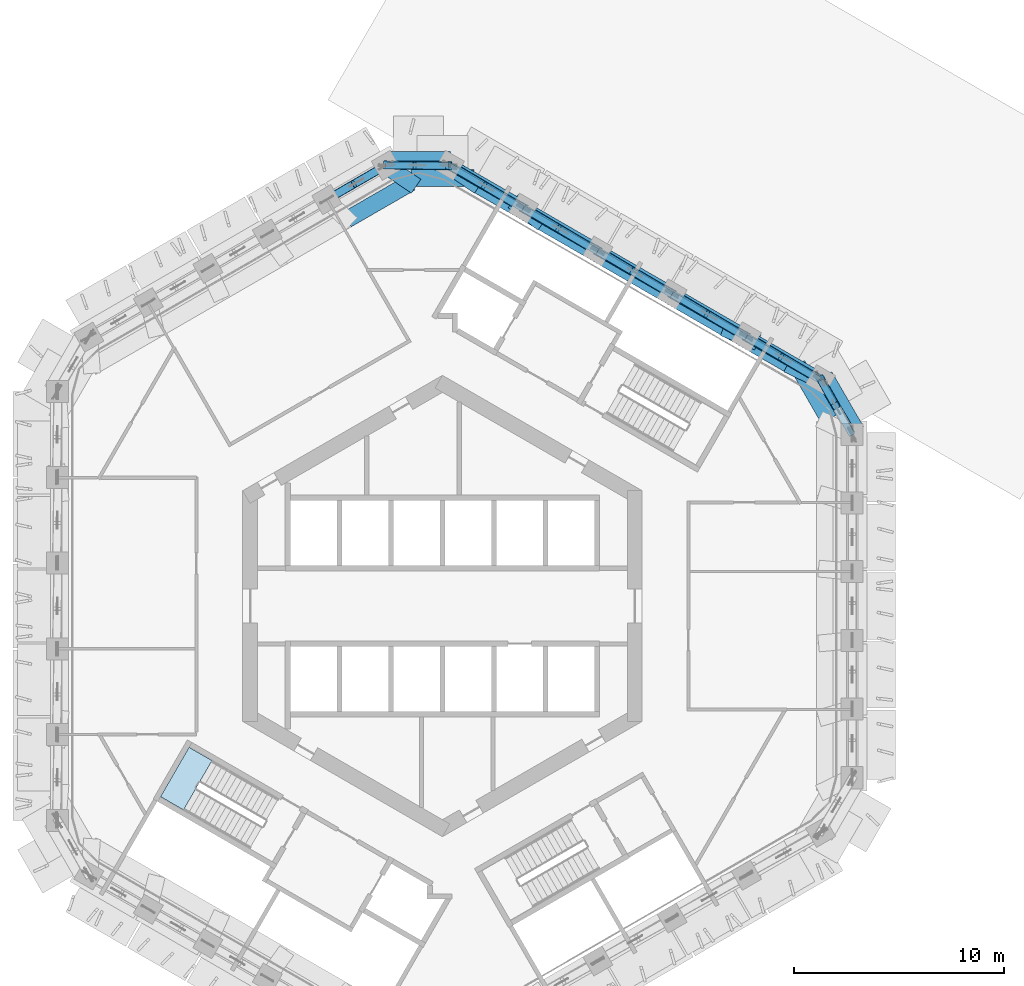
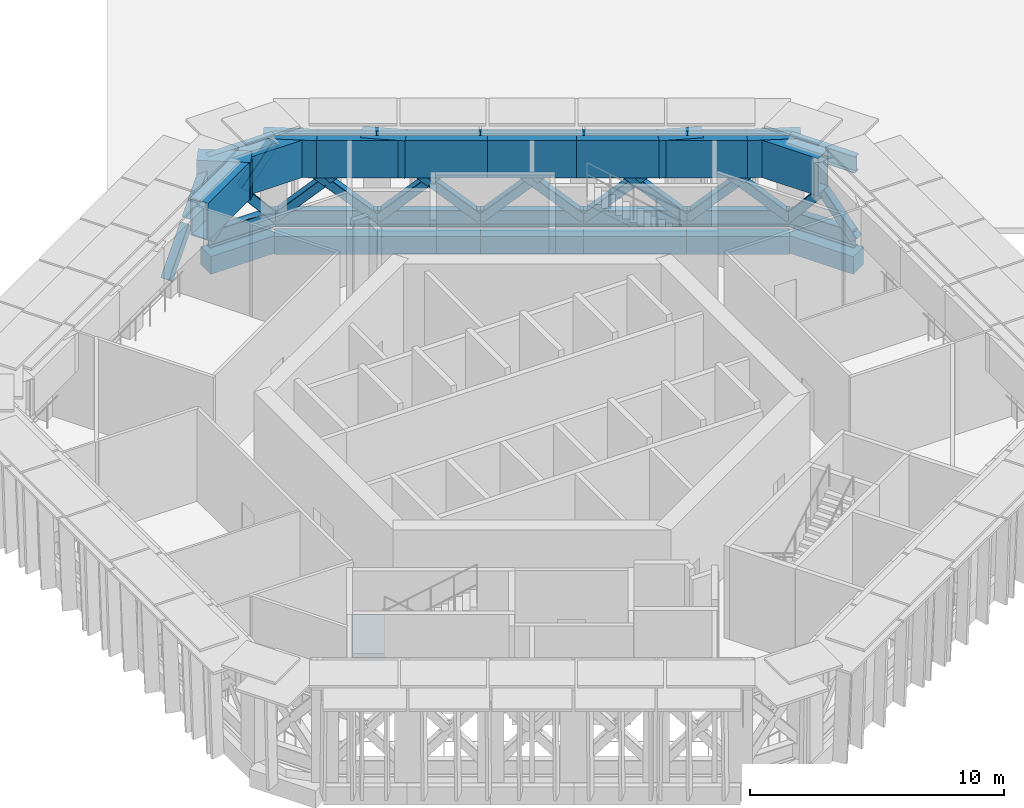
# One storey, part 5 of 18: 36 members, 20 beams, 1 slab, 1 element without a shape of its own.
"""IFC4 building model written with IfcOpenShell, lengths in metres."""

from ifc_helpers import new_model, si_unit, direction, frame, origin, origin_2d, place, context, subcontext, project, spatial, polyline, rectangle, hollow_rectangle, i_section, outline, extrude, material, layer, layer_set, material_profile, profile_set, type_object, element, aggregate, save


model = new_model("IFC4")

# Units and contexts
model_context = context("Model", 3, precision=1e-05, world=origin(), true_north=direction((0.0, 1.0)))
body_context = subcontext(model_context, "Body", "Model", "MODEL_VIEW")
ifc_project = project(units=[si_unit("LENGTHUNIT", "METRE"), si_unit("AREAUNIT", "SQUARE_METRE"), si_unit("VOLUMEUNIT", "CUBIC_METRE"), si_unit("PLANEANGLEUNIT", "RADIAN"), si_unit("MASSUNIT", "GRAM", prefix="KILO")], contexts=[model_context])

# Site, building, storey
site_placement = place(None, origin())
site = spatial("IfcSite", under=ifc_project, at=site_placement, CompositionType="ELEMENT")
building_placement = place(site_placement, origin())
building = spatial("IfcBuilding", under=site, at=building_placement, Name="Ayvan Gate Tower", CompositionType="ELEMENT")
storey_placement = place(building_placement, frame((0.0, 0.0, 147.89990234375)))
storey = spatial("IfcBuildingStorey", under=building, at=storey_placement, Name="L39", CompositionType="ELEMENT", Elevation=147.89990234375)

# Members
ifc_material_1 = material(Name="Steel S460NH", Category="steel")
ifc_material_profile_1 = material_profile(ifc_material_1, hollow_rectangle(XDim=0.39990234375, YDim=0.39990234375, WallThickness=0.02001953125, InnerFilletRadius=0.02001953125, OuterFilletRadius=0.030029296875, at=origin_2d()), Name="RHS 400x400x20")
ifc_profile_set_1 = profile_set([ifc_material_profile_1], Name="Steel S460NH")
member_type_1 = type_object("IfcMemberType", Name="Belt truss brace BT2 RHS 400x400x20", PredefinedType="BRACE", material=ifc_profile_set_1)
member_1_placement = place(storey_placement, frame((19.485595703125, 8.203857421875, 0.400146484375), z_axis=(-0.320205564228, 0.538887619485, 0.779146026238), x_axis=(-0.859685892035, -0.510823029078, 0.0)))
element("IfcMember", 1, at=member_1_placement, inside=storey, type_object=member_type_1, Name="BT2-DA-6", PredefinedType="BRACE", context=body_context, shape_type="SweptSolid", body=[
    extrude(hollow_rectangle(XDim=0.39990234375, YDim=0.39990234375, WallThickness=0.02001953125, InnerFilletRadius=0.02001953125, OuterFilletRadius=0.030029296875, at=origin_2d()), origin(), (0.0, 0.0, 1.0), 4.6845703125),
])
member_2_placement = place(storey_placement, frame((17.985595703125, 10.802001953125, 0.400146484375), z_axis=(0.314761825813, -0.560636022628, 0.765906158183), x_axis=(0.871971306425, 0.489556984192, 0.0)))
element("IfcMember", 2, at=member_2_placement, inside=storey, type_object=member_type_1, Name="BT2-DB-6", PredefinedType="BRACE", context=body_context, shape_type="SweptSolid", body=[
    extrude(hollow_rectangle(XDim=0.39990234375, YDim=0.39990234375, WallThickness=0.02001953125, InnerFilletRadius=0.02001953125, OuterFilletRadius=0.030029296875, at=origin_2d()), origin(), (0.0, 0.0, 1.0), 2.27880859375),
])
member_3_placement = place(storey_placement, frame((17.985595703125, 10.802001953125, 0.400146484375), z_axis=(-0.64899276758, 0.361178583696, 0.669595712582), x_axis=(-0.48628793327, -0.873798630095, 0.0)))
element("IfcMember", 3, at=member_3_placement, inside=storey, type_object=member_type_1, Name="BT2-DA-7", PredefinedType="BRACE", context=body_context, shape_type="SweptSolid", body=[
    extrude(hollow_rectangle(XDim=0.39990234375, YDim=0.39990234375, WallThickness=0.02001953125, InnerFilletRadius=0.02001953125, OuterFilletRadius=0.030029296875, at=origin_2d()), origin(), (0.0, 0.0, 1.0), 5.450927734375),
])
member_4_placement = place(storey_placement, frame((14.4609375, 12.8369140625, 0.400146484375), z_axis=(0.6414356155, -0.383807562409, 0.664268098139), x_axis=(0.513458772394, 0.858114263401, 0.0)))
element("IfcMember", 4, at=member_4_placement, inside=storey, type_object=member_type_1, Name="BT2-DB-7", PredefinedType="BRACE", context=body_context, shape_type="SweptSolid", body=[
    extrude(hollow_rectangle(XDim=0.39990234375, YDim=0.39990234375, WallThickness=0.02001953125, InnerFilletRadius=0.02001953125, OuterFilletRadius=0.030029296875, at=origin_2d()), origin(), (0.0, 0.0, 1.0), 2.64111328125),
])
member_5_placement = place(storey_placement, frame((16.284912109375, 11.74560546875, 2.2890625), z_axis=(0.641499524074, -0.383739379388, 0.664245774784), x_axis=(0.513353933402, 0.85817698586, 0.0)))
element("IfcMember", 5, at=member_5_placement, inside=storey, type_object=member_type_1, Name="BT2-DC-7", PredefinedType="BRACE", context=body_context, shape_type="SweptSolid", body=[
    extrude(hollow_rectangle(XDim=0.39990234375, YDim=0.39990234375, WallThickness=0.02001953125, InnerFilletRadius=0.02001953125, OuterFilletRadius=0.030029296875, at=origin_2d()), origin(), (0.0, 0.0, 1.0), 2.651123046875),
])
member_6_placement = place(storey_placement, frame((14.4609375, 12.8369140625, 0.400146484375), z_axis=(-0.65002276098, 0.361799217946, 0.668260230825), x_axis=(-0.486336602193, -0.873771543006, 0.0)))
element("IfcMember", 6, at=member_6_placement, inside=storey, type_object=member_type_1, Name="BT2-DA-8", PredefinedType="BRACE", context=body_context, shape_type="SweptSolid", body=[
    extrude(hollow_rectangle(XDim=0.39990234375, YDim=0.39990234375, WallThickness=0.02001953125, InnerFilletRadius=0.02001953125, OuterFilletRadius=0.030029296875, at=origin_2d()), origin(), (0.0, 0.0, 1.0), 5.4619140625),
])
member_7_placement = place(storey_placement, frame((10.93603515625, 14.871826171875, 0.400146484375), z_axis=(0.640436467429, -0.383113281644, 0.665631538176), x_axis=(0.513363617735, 0.858171192703, 0.0)))
element("IfcMember", 7, at=member_7_placement, inside=storey, type_object=member_type_1, Name="BT2-DB-8", PredefinedType="BRACE", context=body_context, shape_type="SweptSolid", body=[
    extrude(hollow_rectangle(XDim=0.39990234375, YDim=0.39990234375, WallThickness=0.02001953125, InnerFilletRadius=0.02001953125, OuterFilletRadius=0.030029296875, at=origin_2d()), origin(), (0.0, 0.0, 1.0), 2.6357421875),
])
member_8_placement = place(storey_placement, frame((12.753662109375, 13.784423828125, 2.2890625), z_axis=(0.640427253357, -0.383148985005, 0.665619852804), x_axis=(0.513404289383, 0.858146861349, 0.0)))
element("IfcMember", 8, at=member_8_placement, inside=storey, type_object=member_type_1, Name="BT2-DC-8", PredefinedType="BRACE", context=body_context, shape_type="SweptSolid", body=[
    extrude(hollow_rectangle(XDim=0.39990234375, YDim=0.39990234375, WallThickness=0.02001953125, InnerFilletRadius=0.02001953125, OuterFilletRadius=0.030029296875, at=origin_2d()), origin(), (0.0, 0.0, 1.0), 2.645751953125),
])
member_9_placement = place(storey_placement, frame((10.93603515625, 14.871826171875, 0.400146484375), z_axis=(-0.651036037682, 0.362454968218, 0.66691714152), x_axis=(-0.486430624451, -0.87371920409, 0.0)))
element("IfcMember", 9, at=member_9_placement, inside=storey, type_object=member_type_1, Name="BT2-DA-9", PredefinedType="BRACE", context=body_context, shape_type="SweptSolid", body=[
    extrude(hollow_rectangle(XDim=0.39990234375, YDim=0.39990234375, WallThickness=0.02001953125, InnerFilletRadius=0.02001953125, OuterFilletRadius=0.030029296875, at=origin_2d()), origin(), (0.0, 0.0, 1.0), 5.472900390625),
])
member_10_placement = place(storey_placement, frame((7.411376953125, 16.906982421875, 0.400146484375), z_axis=(0.639370367706, -0.382619723531, 0.666939037742), x_axis=(0.513506125602, 0.858085927498, 0.0)))
element("IfcMember", 10, at=member_10_placement, inside=storey, type_object=member_type_1, Name="BT2-DB-9", PredefinedType="BRACE", context=body_context, shape_type="SweptSolid", body=[
    extrude(hollow_rectangle(XDim=0.39990234375, YDim=0.39990234375, WallThickness=0.02001953125, InnerFilletRadius=0.02001953125, OuterFilletRadius=0.030029296875, at=origin_2d()), origin(), (0.0, 0.0, 1.0), 2.630126953125),
])
member_11_placement = place(storey_placement, frame((9.22265625, 15.8232421875, 2.289306640625), z_axis=(0.639365170477, -0.382657372785, 0.666922419652), x_axis=(0.513546402247, 0.858061823378, 0.0)))
element("IfcMember", 11, at=member_11_placement, inside=storey, type_object=member_type_1, Name="BT2-DC-9", PredefinedType="BRACE", context=body_context, shape_type="SweptSolid", body=[
    extrude(hollow_rectangle(XDim=0.39990234375, YDim=0.39990234375, WallThickness=0.02001953125, InnerFilletRadius=0.02001953125, OuterFilletRadius=0.030029296875, at=origin_2d()), origin(), (0.0, 0.0, 1.0), 2.64013671875),
])
member_12_placement = place(storey_placement, frame((7.411376953125, 16.906982421875, 0.400146484375), z_axis=(-0.652064216011, 0.363029606538, 0.665598800311), x_axis=(-0.486432889919, -0.87371794282, 0.0)))
element("IfcMember", 12, at=member_12_placement, inside=storey, type_object=member_type_1, Name="BT2-DA-10", PredefinedType="BRACE", context=body_context, shape_type="SweptSolid", body=[
    extrude(hollow_rectangle(XDim=0.39990234375, YDim=0.39990234375, WallThickness=0.02001953125, InnerFilletRadius=0.02001953125, OuterFilletRadius=0.030029296875, at=origin_2d()), origin(), (0.0, 0.0, 1.0), 5.483642578125),
])
member_13_placement = place(storey_placement, frame((3.88671875, 18.94189453125, 0.400146484375), z_axis=(0.63837559015, -0.382020770617, 0.668234043369), x_axis=(0.513502516903, 0.858088087048, 0.0)))
element("IfcMember", 13, at=member_13_placement, inside=storey, type_object=member_type_1, Name="BT2-DB-10", PredefinedType="BRACE", context=body_context, shape_type="SweptSolid", body=[
    extrude(hollow_rectangle(XDim=0.39990234375, YDim=0.39990234375, WallThickness=0.02001953125, InnerFilletRadius=0.02001953125, OuterFilletRadius=0.030029296875, at=origin_2d()), origin(), (0.0, 0.0, 1.0), 2.624755859375),
])
member_14_placement = place(storey_placement, frame((5.69140625, 17.86181640625, 2.28955078125), z_axis=(0.638341860079, -0.382004231598, 0.668275719081), x_axis=(0.513506125602, 0.858085927498, 0.0)))
element("IfcMember", 14, at=member_14_placement, inside=storey, type_object=member_type_1, Name="BT2-DC-10", PredefinedType="BRACE", context=body_context, shape_type="SweptSolid", body=[
    extrude(hollow_rectangle(XDim=0.39990234375, YDim=0.39990234375, WallThickness=0.02001953125, InnerFilletRadius=0.02001953125, OuterFilletRadius=0.030029296875, at=origin_2d()), origin(), (0.0, 0.0, 1.0), 2.63427734375),
])
member_15_placement = place(storey_placement, frame((3.88671875, 18.94189453125, 0.400146484375), z_axis=(-0.653065204094, 0.363677962683, 0.664262130985), x_axis=(-0.486525889209, -0.87366616, 0.0)))
element("IfcMember", 15, at=member_15_placement, inside=storey, type_object=member_type_1, Name="BT2-DA-11", PredefinedType="BRACE", context=body_context, shape_type="SweptSolid", body=[
    extrude(hollow_rectangle(XDim=0.39990234375, YDim=0.39990234375, WallThickness=0.02001953125, InnerFilletRadius=0.02001953125, OuterFilletRadius=0.030029296875, at=origin_2d()), origin(), (0.0, 0.0, 1.0), 5.49462890625),
])
member_16_placement = place(storey_placement, frame((0.36181640625, 20.976806640625, 0.400146484375), z_axis=(0.6373349469, -0.381394355472, 0.669583834239), x_axis=(0.51349888179, 0.858090262385, 0.0)))
element("IfcMember", 16, at=member_16_placement, inside=storey, type_object=member_type_1, Name="BT2-DB-11", PredefinedType="BRACE", context=body_context, shape_type="SweptSolid", body=[
    extrude(hollow_rectangle(XDim=0.39990234375, YDim=0.39990234375, WallThickness=0.02001953125, InnerFilletRadius=0.02001953125, OuterFilletRadius=0.030029296875, at=origin_2d()), origin(), (0.0, 0.0, 1.0), 2.619384765625),
])
member_17_placement = place(storey_placement, frame((2.16015625, 19.900634765625, 2.28955078125), z_axis=(0.637282355694, -0.381459408013, 0.669596833296), x_axis=(0.513594570295, 0.858032993167, 0.0)))
element("IfcMember", 17, at=member_17_placement, inside=storey, type_object=member_type_1, Name="BT2-DC-11", PredefinedType="BRACE", context=body_context, shape_type="SweptSolid", body=[
    extrude(hollow_rectangle(XDim=0.39990234375, YDim=0.39990234375, WallThickness=0.02001953125, InnerFilletRadius=0.02001953125, OuterFilletRadius=0.030029296875, at=origin_2d()), origin(), (0.0, 0.0, 1.0), 2.629150390625),
])
member_18_placement = place(storey_placement, frame((0.36181640625, 20.976806640625, 0.400146484375), z_axis=(-0.642872662071, -0.007684961692, 0.765934515298), x_axis=(0.011953242239, -0.999928557448, 0.0)))
element("IfcMember", 18, at=member_18_placement, inside=storey, type_object=member_type_1, Name="BT2-DA-12", PredefinedType="BRACE", context=body_context, shape_type="SweptSolid", body=[
    extrude(hollow_rectangle(XDim=0.39990234375, YDim=0.39990234375, WallThickness=0.02001953125, InnerFilletRadius=0.02001953125, OuterFilletRadius=0.030029296875, at=origin_2d()), origin(), (0.0, 0.0, 1.0), 4.765380859375),
])
for number, where, z_axis, x_axis, name in (
    (19, (-2.63818359375, 20.976806640625, 0.400146484375), (0.626788264985, -0.00785257614, 0.77915005482), (0.012527292533, 0.999921530392, 0.0), "BT2-DB-12"),
    (20, (-1.104736328125, 20.957763671875, 2.305908203125), (0.626788264985, -0.00785257614, 0.77915005482), (0.012527292533, 0.999921530392, 0.0), "BT2-DC-12"),
):
    element("IfcMember", number, at=place(storey_placement, frame(where, z_axis=z_axis, x_axis=x_axis)), inside=storey, type_object=member_type_1, Name=name, PredefinedType="BRACE", context=body_context, shape_type="SweptSolid", body=[
        extrude(hollow_rectangle(XDim=0.39990234375, YDim=0.39990234375, WallThickness=0.02001953125, InnerFilletRadius=0.02001953125, OuterFilletRadius=0.030029296875, at=origin_2d()), origin(), (0.0, 0.0, 1.0), 2.238525390625),
    ])
member_19_placement = place(storey_placement, frame((-5.47998046875, 19.336181640625, 0.400146484375), z_axis=(0.571712069302, 0.330106841037, 0.751115692363), x_axis=(-0.500032632036, 0.86600656285, 0.0)))
element("IfcMember", 21, at=member_19_placement, inside=storey, type_object=member_type_1, Name="BT2-DB-13", PredefinedType="BRACE", context=body_context, shape_type="SweptSolid", body=[
    extrude(hollow_rectangle(XDim=0.39990234375, YDim=0.39990234375, WallThickness=0.02001953125, InnerFilletRadius=0.02001953125, OuterFilletRadius=0.030029296875, at=origin_2d()), origin(), (0.0, 0.0, 1.0), 2.33935546875),
])
member_20_placement = place(storey_placement, frame((-4.02685546875, 20.175048828125, 2.309326171875), z_axis=(0.5717739066, 0.330128854695, 0.75105894511), x_axis=(-0.500017079958, 0.866015542442, 0.0)))
element("IfcMember", 22, at=member_20_placement, inside=storey, type_object=member_type_1, Name="BT2-DC-13", PredefinedType="BRACE", context=body_context, shape_type="SweptSolid", body=[
    extrude(hollow_rectangle(XDim=0.39990234375, YDim=0.39990234375, WallThickness=0.02001953125, InnerFilletRadius=0.02001953125, OuterFilletRadius=0.030029296875, at=origin_2d()), origin(), (0.0, 0.0, 1.0), 2.317626953125),
])
ifc_material_2 = material(Name="Steel S460ML", Category="steel")
ifc_material_profile_2 = material_profile(ifc_material_2, i_section(OverallWidth=0.300048828125, OverallDepth=0.800048828125, WebThickness=0.017578125, FlangeThickness=0.032958984375, FilletRadius=0.030029296875, at=origin_2d()), Name="HE 800 B")
ifc_profile_set_2 = profile_set([ifc_material_profile_2], Name="Steel S460ML")
member_type_2 = type_object("IfcMemberType", Name="Belt truss chord BT2 HE 800 B", PredefinedType="CHORD", material=ifc_profile_set_2)
member_21_placement = place(storey_placement, frame((19.485595703125, 8.203857421875, 0.400146484375), z_axis=(-0.499990139034, 0.866031096941, 0.0), x_axis=(-0.866031096941, -0.499990139034, 0.0)))
element("IfcMember", 23, at=member_21_placement, inside=storey, type_object=member_type_2, Name="BT2-BC-6", PredefinedType="CHORD", context=body_context, shape_type="SweptSolid", body=[
    extrude(i_section(OverallWidth=0.300048828125, OverallDepth=0.800048828125, WebThickness=0.017578125, FlangeThickness=0.032958984375, FilletRadius=0.030029296875, at=origin_2d()), origin(), (0.0, 0.0, 1.0), 3.0),
])
member_22_placement = place(storey_placement, frame((19.485595703125, 8.13037109375, 4.050048828125), z_axis=(-0.50002537861, 0.866010750942, 0.0), x_axis=(-0.866010750942, -0.50002537861, 0.0)))
element("IfcMember", 24, at=member_22_placement, inside=storey, type_object=member_type_2, Name="BT2-TC-6", PredefinedType="CHORD", context=body_context, shape_type="SweptSolid", body=[
    extrude(i_section(OverallWidth=0.300048828125, OverallDepth=0.800048828125, WebThickness=0.017578125, FlangeThickness=0.032958984375, FilletRadius=0.030029296875, at=origin_2d()), origin(), (0.0, 0.0, 1.0), 2.999755859375),
])
member_23_placement = place(storey_placement, frame((17.985595703125, 10.802001953125, 0.400146484375), z_axis=(-0.86603075035, 0.499990739362, 0.0), x_axis=(-0.499990739362, -0.86603075035, 0.0)))
element("IfcMember", 25, at=member_23_placement, inside=storey, type_object=member_type_2, Name="BT2-BC-7", PredefinedType="CHORD", context=body_context, shape_type="SweptSolid", body=[
    extrude(i_section(OverallWidth=0.300048828125, OverallDepth=0.800048828125, WebThickness=0.017578125, FlangeThickness=0.032958984375, FilletRadius=0.030029296875, at=origin_2d()), origin(), (0.0, 0.0, 1.0), 4.06982421875),
])
member_24_placement = place(storey_placement, frame((17.985595703125, 10.728271484375, 4.050048828125), z_axis=(-0.866020367552, 0.500008722908, 0.0), x_axis=(-0.500008722908, -0.866020367552, 0.0)))
element("IfcMember", 26, at=member_24_placement, inside=storey, type_object=member_type_2, Name="BT2-TC-7", PredefinedType="CHORD", context=body_context, shape_type="SweptSolid", body=[
    extrude(i_section(OverallWidth=0.300048828125, OverallDepth=0.800048828125, WebThickness=0.017578125, FlangeThickness=0.032958984375, FilletRadius=0.030029296875, at=origin_2d()), origin(), (0.0, 0.0, 1.0), 4.0849609375),
])
member_25_placement = place(storey_placement, frame((14.4609375, 12.8369140625, 0.400146484375), z_axis=(-0.866045745349, 0.499964765721, 0.0), x_axis=(-0.499964765721, -0.866045745349, 0.0)))
element("IfcMember", 27, at=member_25_placement, inside=storey, type_object=member_type_2, Name="BT2-BC-8", PredefinedType="CHORD", context=body_context, shape_type="SweptSolid", body=[
    extrude(i_section(OverallWidth=0.300048828125, OverallDepth=0.800048828125, WebThickness=0.017578125, FlangeThickness=0.032958984375, FilletRadius=0.030029296875, at=origin_2d()), origin(), (0.0, 0.0, 1.0), 4.070068359375),
])
member_26_placement = place(storey_placement, frame((14.447998046875, 12.770751953125, 4.050048828125), z_axis=(-0.866031306094, 0.49998977676, 0.0), x_axis=(-0.49998977676, -0.866031306094, 0.0)))
element("IfcMember", 28, at=member_26_placement, inside=storey, type_object=member_type_2, Name="BT2-TC-8", PredefinedType="CHORD", context=body_context, shape_type="SweptSolid", body=[
    extrude(i_section(OverallWidth=0.300048828125, OverallDepth=0.800048828125, WebThickness=0.017578125, FlangeThickness=0.032958984375, FilletRadius=0.030029296875, at=origin_2d()), origin(), (0.0, 0.0, 1.0), 4.08447265625),
])
member_27_placement = place(storey_placement, frame((10.93603515625, 14.871826171875, 0.400146484375), z_axis=(-0.866004775196, 0.500035728062, 0.0), x_axis=(-0.500035728062, -0.866004775196, 0.0)))
element("IfcMember", 29, at=member_27_placement, inside=storey, type_object=member_type_2, Name="BT2-BC-9", PredefinedType="CHORD", context=body_context, shape_type="SweptSolid", body=[
    extrude(i_section(OverallWidth=0.300048828125, OverallDepth=0.800048828125, WebThickness=0.017578125, FlangeThickness=0.032958984375, FilletRadius=0.030029296875, at=origin_2d()), origin(), (0.0, 0.0, 1.0), 4.070068359375),
])
member_28_placement = place(storey_placement, frame((10.91064453125, 14.81298828125, 4.050048828125), z_axis=(-0.866020367552, 0.500008722908, 0.0), x_axis=(-0.500008722908, -0.866020367552, 0.0)))
element("IfcMember", 30, at=member_28_placement, inside=storey, type_object=member_type_2, Name="BT2-TC-9", PredefinedType="CHORD", context=body_context, shape_type="SweptSolid", body=[
    extrude(i_section(OverallWidth=0.300048828125, OverallDepth=0.800048828125, WebThickness=0.017578125, FlangeThickness=0.032958984375, FilletRadius=0.030029296875, at=origin_2d()), origin(), (0.0, 0.0, 1.0), 4.0849609375),
])
member_29_placement = place(storey_placement, frame((7.411376953125, 16.906982421875, 0.400146484375), z_axis=(-0.86603075035, 0.499990739362, 0.0), x_axis=(-0.499990739362, -0.86603075035, 0.0)))
element("IfcMember", 31, at=member_29_placement, inside=storey, type_object=member_type_2, Name="BT2-BC-10", PredefinedType="CHORD", context=body_context, shape_type="SweptSolid", body=[
    extrude(i_section(OverallWidth=0.300048828125, OverallDepth=0.800048828125, WebThickness=0.017578125, FlangeThickness=0.032958984375, FilletRadius=0.030029296875, at=origin_2d()), origin(), (0.0, 0.0, 1.0), 4.06982421875),
])
member_30_placement = place(storey_placement, frame((7.373046875, 16.85546875, 4.050048828125), z_axis=(-0.866031306094, 0.49998977676, 0.0), x_axis=(-0.49998977676, -0.866031306094, 0.0)))
element("IfcMember", 32, at=member_30_placement, inside=storey, type_object=member_type_2, Name="BT2-TC-10", PredefinedType="CHORD", context=body_context, shape_type="SweptSolid", body=[
    extrude(i_section(OverallWidth=0.300048828125, OverallDepth=0.800048828125, WebThickness=0.017578125, FlangeThickness=0.032958984375, FilletRadius=0.030029296875, at=origin_2d()), origin(), (0.0, 0.0, 1.0), 4.08447265625),
])
member_31_placement = place(storey_placement, frame((3.88671875, 18.94189453125, 0.400146484375), z_axis=(-0.866045745349, 0.499964765721, 0.0), x_axis=(-0.499964765721, -0.866045745349, 0.0)))
element("IfcMember", 33, at=member_31_placement, inside=storey, type_object=member_type_2, Name="BT2-BC-11", PredefinedType="CHORD", context=body_context, shape_type="SweptSolid", body=[
    extrude(i_section(OverallWidth=0.300048828125, OverallDepth=0.800048828125, WebThickness=0.017578125, FlangeThickness=0.032958984375, FilletRadius=0.030029296875, at=origin_2d()), origin(), (0.0, 0.0, 1.0), 4.070068359375),
])
member_32_placement = place(storey_placement, frame((3.835693359375, 18.897705078125, 4.050048828125), z_axis=(-0.866005424181, 0.500034604092, 0.0), x_axis=(-0.500034604092, -0.866005424181, 0.0)))
element("IfcMember", 34, at=member_32_placement, inside=storey, type_object=member_type_2, Name="BT2-TC-11", PredefinedType="CHORD", context=body_context, shape_type="SweptSolid", body=[
    extrude(i_section(OverallWidth=0.300048828125, OverallDepth=0.800048828125, WebThickness=0.017578125, FlangeThickness=0.032958984375, FilletRadius=0.030029296875, at=origin_2d()), origin(), (0.0, 0.0, 1.0), 4.084716796875),
])
for number, where, z_axis, x_axis, name in (
    (35, (0.36181640625, 20.976806640625, 0.400146484375), (-1.0, 0.0, 0.0), (0.0, -1.0, 0.0), "BT2-BC-12"),
    (36, (0.29833984375, 20.940185546875, 4.050048828125), (-1.0, 0.0, 0.0), (0.0, -1.0, 0.0), "BT2-TC-12"),
):
    element("IfcMember", number, at=place(storey_placement, frame(where, z_axis=z_axis, x_axis=x_axis)), inside=storey, type_object=member_type_2, Name=name, PredefinedType="CHORD", context=body_context, shape_type="SweptSolid", body=[
        extrude(i_section(OverallWidth=0.300048828125, OverallDepth=0.800048828125, WebThickness=0.017578125, FlangeThickness=0.032958984375, FilletRadius=0.030029296875, at=origin_2d()), origin(), (0.0, 0.0, 1.0), 3.0),
    ])

# Beams
ifc_material_3 = material(Name="Concrete C40/50", Category="concrete")
ifc_material_profile_3 = material_profile(ifc_material_3, rectangle(XDim=0.800048828125, YDim=0.85009765625, at=origin_2d()), Name="RC 800x850")
ifc_profile_set_3 = profile_set([ifc_material_profile_3], Name="Concrete C40/50")
beam_type_1 = type_object("IfcBeamType", Name="Corner spandrel beam RC 800x850 C40/50", PredefinedType="BEAM", material=ifc_profile_set_3)
beam_1_placement = place(storey_placement, frame((19.676025390625, 8.338623046875, -0.824951171875), z_axis=(-0.50002537861, 0.866010750942, 0.0), x_axis=(-0.866010750942, -0.50002537861, 0.0)))
element("IfcBeam", 37, at=beam_1_placement, inside=storey, type_object=beam_type_1, Name="SB-L39-6", PredefinedType="BEAM", context=body_context, shape_type="SweptSolid", body=[
    extrude(rectangle(XDim=0.800048828125, YDim=0.85009765625, at=origin_2d()), origin(), (0.0, 0.0, 1.0), 2.999755859375),
])
beam_2_placement = place(storey_placement, frame((0.38330078125, 21.209228515625, -0.824951171875), z_axis=(-1.0, 0.0, 0.0), x_axis=(0.0, -1.0, 0.0)))
element("IfcBeam", 38, at=beam_2_placement, inside=storey, type_object=beam_type_1, Name="SB-L39-12", PredefinedType="BEAM", context=body_context, shape_type="SweptSolid", body=[
    extrude(rectangle(XDim=0.800048828125, YDim=0.85009765625, at=origin_2d()), origin(), (0.0, 0.0, 1.0), 3.0),
])
ifc_material_profile_4 = material_profile(ifc_material_3, rectangle(XDim=0.550048828125, YDim=0.85009765625, at=origin_2d()), Name="RC 550x850")
ifc_profile_set_4 = profile_set([ifc_material_profile_4], Name="Concrete C40/50")
beam_type_2 = type_object("IfcBeamType", Name="Spandrel beam RC 550x850 C40/50", PredefinedType="BEAM", material=ifc_profile_set_4)
for number, where, z_axis, x_axis, name in (
    (39, (17.985595703125, 10.82666015625, -0.824951171875), (-0.866035568818, 0.499982393232, 0.0), (-0.499982393232, -0.866035568818, 0.0), "SB-L39-7"),
    (40, (14.465087890625, 12.859130859375, -0.824951171875), (-0.866035568818, 0.499982393232, 0.0), (-0.499982393232, -0.866035568818, 0.0), "SB-L39-8"),
):
    element("IfcBeam", number, at=place(storey_placement, frame(where, z_axis=z_axis, x_axis=x_axis)), inside=storey, type_object=beam_type_2, Name=name, PredefinedType="BEAM", context=body_context, shape_type="SweptSolid", body=[
        extrude(rectangle(XDim=0.550048828125, YDim=0.85009765625, at=origin_2d()), origin(), (0.0, 0.0, 1.0), 4.065185546875),
    ])
beam_3_placement = place(storey_placement, frame((10.944580078125, 14.8916015625, -0.824951171875), z_axis=(-0.866020554218, 0.500008399602, 0.0), x_axis=(-0.500008399602, -0.866020554218, 0.0)))
element("IfcBeam", 41, at=beam_3_placement, inside=storey, type_object=beam_type_2, Name="SB-L39-9", PredefinedType="BEAM", context=body_context, shape_type="SweptSolid", body=[
    extrude(rectangle(XDim=0.550048828125, YDim=0.85009765625, at=origin_2d()), origin(), (0.0, 0.0, 1.0), 4.06494140625),
])
for number, where, z_axis, x_axis, name in (
    (42, (7.42431640625, 16.924072265625, -0.824951171875), (-0.866009563185, 0.50002743572, 0.0), (-0.50002743572, -0.866009563185, 0.0), "SB-L39-10"),
    (43, (3.90380859375, 18.956787109375, -0.824951171875), (-0.866035568818, 0.499982393232, 0.0), (-0.499982393232, -0.866035568818, 0.0), "SB-L39-11"),
):
    element("IfcBeam", number, at=place(storey_placement, frame(where, z_axis=z_axis, x_axis=x_axis)), inside=storey, type_object=beam_type_2, Name=name, PredefinedType="BEAM", context=body_context, shape_type="SweptSolid", body=[
        extrude(rectangle(XDim=0.550048828125, YDim=0.85009765625, at=origin_2d()), origin(), (0.0, 0.0, 1.0), 4.065185546875),
    ])
ifc_material_profile_5 = material_profile(ifc_material_2, hollow_rectangle(XDim=0.800048828125, YDim=1.800048828125, WallThickness=0.050048828125, at=origin_2d()), Name="BOX 800x1800x50")
ifc_profile_set_5 = profile_set([ifc_material_profile_5], Name="Steel S460ML")
beam_type_3 = type_object("IfcBeamType", Name="Transfer ring girder BOX 800x1800x50", PredefinedType="BEAM", material=ifc_profile_set_5)
beam_4_placement = place(storey_placement, frame((18.376953125, 8.8779296875, 3.550048828125), z_axis=(-0.499990139034, 0.866031096941, 0.0), x_axis=(-0.866031096941, -0.499990139034, 0.0)))
element("IfcBeam", 44, at=beam_4_placement, inside=storey, type_object=beam_type_3, Name="TR-L39-6", PredefinedType="BEAM", context=body_context, shape_type="SweptSolid", body=[
    extrude(hollow_rectangle(XDim=0.800048828125, YDim=1.800048828125, WallThickness=0.050048828125, at=origin_2d()), origin(), (0.0, 0.0, 1.0), 3.0),
])
for number, where, z_axis, x_axis, name in (
    (45, (16.6865234375, 11.365966796875, 3.550048828125), (-0.866019818373, 0.500009674092, 0.0), (-0.500009674092, -0.866019818373, 0.0), "TR-L39-7"),
    (46, (13.649169921875, 13.11962890625, 3.550048828125), (-0.866019818373, 0.500009674092, 0.0), (-0.500009674092, -0.866019818373, 0.0), "TR-L39-8"),
):
    element("IfcBeam", number, at=place(storey_placement, frame(where, z_axis=z_axis, x_axis=x_axis)), inside=storey, type_object=beam_type_3, Name=name, PredefinedType="BEAM", context=body_context, shape_type="SweptSolid", body=[
        extrude(hollow_rectangle(XDim=0.800048828125, YDim=1.800048828125, WallThickness=0.050048828125, at=origin_2d()), origin(), (0.0, 0.0, 1.0), 3.50732421875),
    ])
beam_5_placement = place(storey_placement, frame((10.61181640625, 14.873291015625, 3.550048828125), z_axis=(-0.86603255856, 0.499987607361, 0.0), x_axis=(-0.499987607361, -0.86603255856, 0.0)))
element("IfcBeam", 47, at=beam_5_placement, inside=storey, type_object=beam_type_3, Name="TR-L39-9", PredefinedType="BEAM", context=body_context, shape_type="SweptSolid", body=[
    extrude(hollow_rectangle(XDim=0.800048828125, YDim=1.800048828125, WallThickness=0.050048828125, at=origin_2d()), origin(), (0.0, 0.0, 1.0), 3.5068359375),
])
for number, where, z_axis, x_axis, name in (
    (48, (7.57470703125, 16.626708984375, 3.550048828125), (-0.866019818373, 0.500009674092, 0.0), (-0.500009674092, -0.866019818373, 0.0), "TR-L39-10"),
    (49, (4.537353515625, 18.38037109375, 3.550048828125), (-0.866019818373, 0.500009674092, 0.0), (-0.500009674092, -0.866019818373, 0.0), "TR-L39-11"),
):
    element("IfcBeam", number, at=place(storey_placement, frame(where, z_axis=z_axis, x_axis=x_axis)), inside=storey, type_object=beam_type_3, Name=name, PredefinedType="BEAM", context=body_context, shape_type="SweptSolid", body=[
        extrude(hollow_rectangle(XDim=0.800048828125, YDim=1.800048828125, WallThickness=0.050048828125, at=origin_2d()), origin(), (0.0, 0.0, 1.0), 3.50732421875),
    ])
beam_6_placement = place(storey_placement, frame((1.5, 20.35400390625, 3.550048828125), z_axis=(-1.0, 0.0, 0.0), x_axis=(0.0, -1.0, 0.0)))
element("IfcBeam", 50, at=beam_6_placement, inside=storey, type_object=beam_type_3, Name="TR-L39-12", PredefinedType="BEAM", context=body_context, shape_type="SweptSolid", body=[
    extrude(hollow_rectangle(XDim=0.800048828125, YDim=1.800048828125, WallThickness=0.050048828125, at=origin_2d()), origin(), (0.0, 0.0, 1.0), 3.0),
])
beam_7_placement = place(storey_placement, frame((-1.5, 20.134033203125, 3.550048828125), z_axis=(-0.866019818373, -0.500009674092, 0.0), x_axis=(0.500009674092, -0.866019818373, 0.0)))
element("IfcBeam", 51, at=beam_7_placement, inside=storey, type_object=beam_type_3, Name="TR-L39-13", PredefinedType="BEAM", context=body_context, shape_type="SweptSolid", body=[
    extrude(hollow_rectangle(XDim=0.800048828125, YDim=1.800048828125, WallThickness=0.050048828125, at=origin_2d()), origin(), (0.0, 0.0, 1.0), 3.50732421875),
])
beam_8_placement = place(storey_placement, frame((18.345703125, 10.564453125, 3.550048828125), z_axis=(-0.900406982997, 0.435048577712, 0.0), x_axis=(-0.435048577712, -0.900406982997, 0.0)))
element("IfcBeam", 52, at=beam_8_placement, inside=storey, type_object=beam_type_3, Name="TS-L39-T1-0", PredefinedType="BEAM", context=body_context, shape_type="SweptSolid", body=[
    extrude(hollow_rectangle(XDim=0.800048828125, YDim=1.800048828125, WallThickness=0.050048828125, at=origin_2d()), origin(), (0.0, 0.0, 1.0), 2.142578125),
])
for number, where, z_axis, x_axis, name in (
    (53, (15.002197265625, 12.545166015625, 3.550048828125), (-0.920481059633, 0.390787178471, 0.0), (-0.390787178471, -0.920481059633, 0.0), "TS-L39-T1-1"),
    (54, (3.36328125, 19.264892578125, 3.550048828125), (0.798706973663, -0.601720176014, 0.0), (0.601720176014, 0.798706973663, 0.0), "TS-L39-T1-4"),
):
    element("IfcBeam", number, at=place(storey_placement, frame(where, z_axis=z_axis, x_axis=x_axis)), inside=storey, type_object=beam_type_3, Name=name, PredefinedType="BEAM", context=body_context, shape_type="SweptSolid", body=[
        extrude(hollow_rectangle(XDim=0.800048828125, YDim=1.800048828125, WallThickness=0.050048828125, at=origin_2d()), origin(), (0.0, 0.0, 1.0), 1.769775390625),
    ])
for number, where, z_axis, x_axis, name in (
    (55, (-0.02392578125, 21.170166015625, 3.550048828125), (0.826949812182, -0.562275740303, 0.0), (0.562275740303, 0.826949812182, 0.0), "TS-L39-T1-5"),
    (56, (-3.02392578125, 21.170166015625, 3.550048828125), (0.826949812182, -0.562275740303, 0.0), (0.562275740303, 0.826949812182, 0.0), "TS-L39-T2-0"),
):
    element("IfcBeam", number, at=place(storey_placement, frame(where, z_axis=z_axis, x_axis=x_axis)), inside=storey, type_object=beam_type_3, Name=name, PredefinedType="BEAM", context=body_context, shape_type="SweptSolid", body=[
        extrude(hollow_rectangle(XDim=0.800048828125, YDim=1.800048828125, WallThickness=0.050048828125, at=origin_2d()), origin(), (0.0, 0.0, 1.0), 2.142822265625),
    ])

# Stair, slab
stair_type = type_object("IfcStairType", Name="ST-EXIT", PredefinedType="HALF_TURN_STAIR", material=ifc_material_3)
stair_placement = place(storey_placement, origin())
stair = element("IfcStair", 57, at=stair_placement, inside=storey, type_object=stair_type, Name="L39 Exit Stair S2", PredefinedType="HALF_TURN_STAIR")
ifc_layer = layer(ifc_material_3, 0.199951171875)
ifc_layer_set = layer_set([ifc_layer], Name="Concrete C40/50")
slab_type = type_object("IfcSlabType", Name="SL-LANDING-200", PredefinedType="LANDING", material=ifc_layer_set)
slab_placement = place(storey_placement, frame((0.0, 0.0, 2.2001953125)))
slab = element("IfcSlab", 58, at=slab_placement, type_object=slab_type, Name="STS2 landing 1", PredefinedType="LANDING", context=body_context, shape_type="SweptSolid", body=[
    extrude(outline(polyline([(-10.95849609375, -7.3505859375), (-12.049560546875, -6.720458984375), (-13.404541015625, -9.0673828125), (-12.3134765625, -9.697509765625), (-10.95849609375, -7.3505859375)])), origin(), (0.0, 0.0, 1.0), 0.199951171875),
])
aggregate(stair, [slab])

save(model, "model.ifc")
